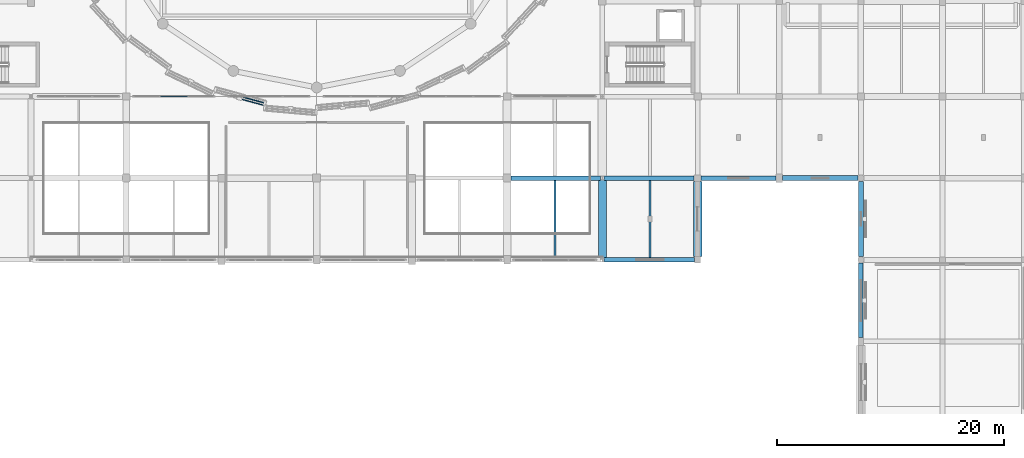
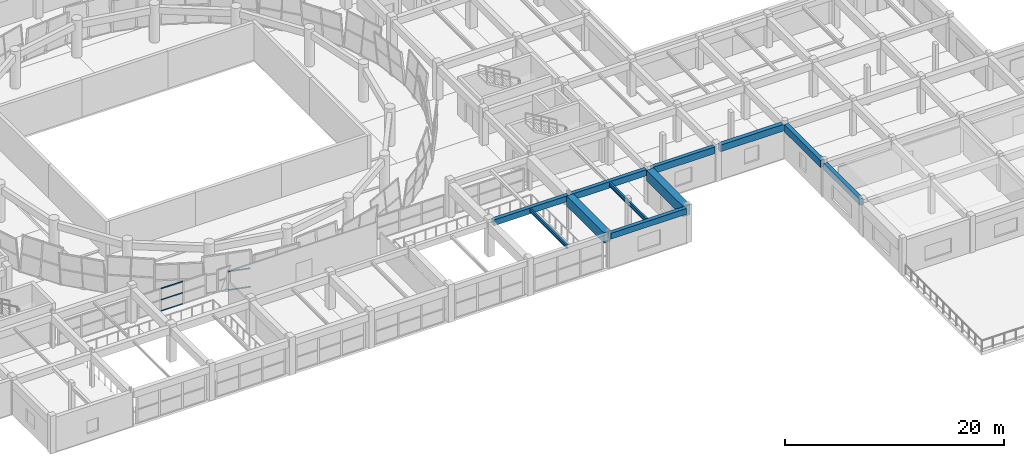
# One storey, part 22 of 71: 11 beams, 5 members, 2 elements without a shape of their own.
"""IFC4 building model written with IfcOpenShell, lengths in metres."""

from ifc_helpers import new_model, si_unit, direction, frame, origin, origin_2d, place, context, subcontext, project, spatial, rectangle, hollow_rectangle, i_section, extrude, material, material_profile, profile_set, type_object, element, aggregate, save


model = new_model("IFC4")

# Units and contexts
model_context = context("Model", 3, precision=1e-05, world=origin(), true_north=direction((0.0, 1.0)))
body_context = subcontext(model_context, "Body", "Model", "MODEL_VIEW")
ifc_project = project(units=[si_unit("LENGTHUNIT", "METRE"), si_unit("AREAUNIT", "SQUARE_METRE"), si_unit("VOLUMEUNIT", "CUBIC_METRE"), si_unit("PLANEANGLEUNIT", "RADIAN"), si_unit("MASSUNIT", "GRAM", prefix="KILO")], contexts=[model_context])

# Site, building, storey
site_placement = place(None, origin())
site = spatial("IfcSite", under=ifc_project, at=site_placement, CompositionType="ELEMENT")
building_placement = place(site_placement, origin())
building = spatial("IfcBuilding", under=site, at=building_placement, Name="Korsvaeld Concert Hall", CompositionType="ELEMENT")
storey_placement = place(building_placement, frame((0.0, 0.0, 4.800048828125)))
storey = spatial("IfcBuildingStorey", under=building, at=storey_placement, Name="L01", CompositionType="ELEMENT", Elevation=4.800048828125)

# Beams
ifc_material_1 = material(Name="Concrete C35/45", Category="concrete")
ifc_material_profile_1 = material_profile(ifc_material_1, rectangle(XDim=0.39990234375, YDim=0.64990234375, at=origin_2d()), Name="RC 400x650")
ifc_profile_set_1 = profile_set([ifc_material_profile_1], Name="Concrete C35/45")
beam_type_1 = type_object("IfcBeamType", Name="BM-RC-400x650", PredefinedType="T_BEAM", material=ifc_profile_set_1)
beam_1_placement = place(storey_placement, frame((109.35009765625, 28.800048828125, 3.514892578125), z_axis=(1.0, 0.0, 0.0), x_axis=(0.0, 1.0, 0.0)))
element("IfcBeam", 1, at=beam_1_placement, inside=storey, type_object=beam_type_1, Name="Primary girder 15-16/E L01", PredefinedType="T_BEAM", context=body_context, shape_type="SweptSolid", body=[
    extrude(rectangle(XDim=0.39990234375, YDim=0.64990234375, at=origin_2d()), origin(), (0.0, 0.0, 1.0), 7.974853515625),
])
beam_2_placement = place(storey_placement, frame((101.14990234375, 36.0, 3.514892578125), z_axis=(1.0, 0.0, 0.0), x_axis=(0.0, 1.0, 0.0)))
element("IfcBeam", 2, at=beam_2_placement, inside=storey, type_object=beam_type_1, Name="Primary girder 14-15/F L01", PredefinedType="T_BEAM", context=body_context, shape_type="SweptSolid", body=[
    extrude(rectangle(XDim=0.39990234375, YDim=0.64990234375, at=origin_2d()), origin(), (0.0, 0.0, 1.0), 7.900146484375),
])
ifc_material_profile_2 = material_profile(ifc_material_1, rectangle(XDim=0.39990234375, YDim=0.699951171875, at=origin_2d()), Name="RC 400x700")
ifc_profile_set_2 = profile_set([ifc_material_profile_2], Name="Concrete C35/45")
beam_type_2 = type_object("IfcBeamType", Name="BM-RC-400x700", PredefinedType="T_BEAM", material=ifc_profile_set_2)
beam_3_placement = place(storey_placement, frame((109.35009765625, 36.0, 3.489990234375), z_axis=(1.0, 0.0, 0.0), x_axis=(0.0, 1.0, 0.0)))
element("IfcBeam", 3, at=beam_3_placement, inside=storey, type_object=beam_type_2, Name="Primary girder 15-16/F L01", PredefinedType="T_BEAM", context=body_context, shape_type="SweptSolid", body=[
    extrude(rectangle(XDim=0.39990234375, YDim=0.699951171875, at=origin_2d()), origin(), (0.0, 0.0, 1.0), 7.949951171875),
])
beam_4_placement = place(storey_placement, frame((132.0, 21.949951171875, 3.489990234375), z_axis=(0.0, 1.0, 0.0), x_axis=(-1.0, 0.0, 0.0)))
element("IfcBeam", 4, at=beam_4_placement, inside=storey, type_object=beam_type_2, Name="Primary girder 18/D-E L01", PredefinedType="T_BEAM", context=body_context, shape_type="SweptSolid", body=[
    extrude(rectangle(XDim=0.39990234375, YDim=0.699951171875, at=origin_2d()), origin(), (0.0, 0.0, 1.0), 6.574951171875),
])
ifc_material_profile_3 = material_profile(ifc_material_1, rectangle(XDim=0.39990234375, YDim=0.75, at=origin_2d()), Name="RC 400x750")
ifc_profile_set_3 = profile_set([ifc_material_profile_3], Name="Concrete C35/45")
beam_type_3 = type_object("IfcBeamType", Name="BM-RC-400x750", PredefinedType="T_BEAM", material=ifc_profile_set_3)
beam_5_placement = place(storey_placement, frame((117.89990234375, 36.0, 3.46484375), z_axis=(1.0, 0.0, 0.0), x_axis=(0.0, 1.0, 0.0)))
element("IfcBeam", 5, at=beam_5_placement, inside=storey, type_object=beam_type_3, Name="Primary girder 16-17/F L01", PredefinedType="T_BEAM", context=body_context, shape_type="SweptSolid", body=[
    extrude(rectangle(XDim=0.39990234375, YDim=0.75, at=origin_2d()), origin(), (0.0, 0.0, 1.0), 6.625),
])
ifc_material_profile_4 = material_profile(ifc_material_1, rectangle(XDim=0.449951171875, YDim=0.75, at=origin_2d()), Name="RC 450x750")
ifc_profile_set_4 = profile_set([ifc_material_profile_4], Name="Concrete C35/45")
beam_type_4 = type_object("IfcBeamType", Name="BM-RC-450x750", PredefinedType="T_BEAM", material=ifc_profile_set_4)
beam_6_placement = place(storey_placement, frame((125.074951171875, 36.0, 3.46484375), z_axis=(1.0, 0.0, 0.0), x_axis=(0.0, 1.0, 0.0)))
element("IfcBeam", 6, at=beam_6_placement, inside=storey, type_object=beam_type_4, Name="Primary girder 17-18/F L01", PredefinedType="T_BEAM", context=body_context, shape_type="SweptSolid", body=[
    extrude(rectangle(XDim=0.449951171875, YDim=0.75, at=origin_2d()), origin(), (0.0, 0.0, 1.0), 6.650146484375),
])
ifc_material_profile_5 = material_profile(ifc_material_1, rectangle(XDim=0.449951171875, YDim=0.800048828125, at=origin_2d()), Name="RC 450x800")
ifc_profile_set_5 = profile_set([ifc_material_profile_5], Name="Concrete C35/45")
beam_type_5 = type_object("IfcBeamType", Name="BM-RC-450x800", PredefinedType="T_BEAM", material=ifc_profile_set_5)
beam_7_placement = place(storey_placement, frame((132.0, 29.074951171875, 3.43994140625), z_axis=(0.0, 1.0, 0.0), x_axis=(-1.0, 0.0, 0.0)))
element("IfcBeam", 7, at=beam_7_placement, inside=storey, type_object=beam_type_5, Name="Primary girder 18/E-F L01", PredefinedType="T_BEAM", context=body_context, shape_type="SweptSolid", body=[
    extrude(rectangle(XDim=0.449951171875, YDim=0.800048828125, at=origin_2d()), origin(), (0.0, 0.0, 1.0), 6.650146484375),
])
ifc_material_2 = material(Name="Concrete C40/50", Category="concrete")
ifc_material_profile_6 = material_profile(ifc_material_2, rectangle(XDim=0.699951171875, YDim=1.14990234375, at=origin_2d()), Name="RC 700x1150")
ifc_profile_set_6 = profile_set([ifc_material_profile_6], Name="Concrete C40/50")
beam_type_6 = type_object("IfcBeamType", Name="BM-RC-700x1150", PredefinedType="T_BEAM", material=ifc_profile_set_6)
beam_8_placement = place(storey_placement, frame((109.199951171875, 28.97998046875, 3.264892578125), z_axis=(0.0, 1.0, 0.0), x_axis=(-1.0, 0.0, 0.0)))
element("IfcBeam", 8, at=beam_8_placement, inside=storey, type_object=beam_type_6, Name="Primary girder 15/E-F L01", PredefinedType="T_BEAM", context=body_context, shape_type="SweptSolid", body=[
    extrude(rectangle(XDim=0.699951171875, YDim=1.14990234375, at=origin_2d()), origin(), (0.0, 0.0, 1.0), 6.840087890625),
])
ifc_material_profile_7 = material_profile(ifc_material_2, rectangle(XDim=0.75, YDim=1.199951171875, at=origin_2d()), Name="RC 750x1200")
ifc_profile_set_7 = profile_set([ifc_material_profile_7], Name="Concrete C40/50")
beam_type_7 = type_object("IfcBeamType", Name="BM-RC-750x1200", PredefinedType="T_BEAM", material=ifc_profile_set_7)
beam_9_placement = place(storey_placement, frame((117.60009765625, 29.074951171875, 3.239990234375), z_axis=(0.0, 1.0, 0.0), x_axis=(-1.0, 0.0, 0.0)))
element("IfcBeam", 9, at=beam_9_placement, inside=storey, type_object=beam_type_7, Name="Primary girder 16/E-F L01", PredefinedType="T_BEAM", context=body_context, shape_type="SweptSolid", body=[
    extrude(rectangle(XDim=0.75, YDim=1.199951171875, at=origin_2d()), origin(), (0.0, 0.0, 1.0), 6.625),
])
ifc_material_3 = material(Name="Steel S355J2", Category="steel")
ifc_material_profile_8 = material_profile(ifc_material_3, i_section(OverallWidth=0.179931640625, OverallDepth=0.39990234375, WebThickness=0.008544921875, FlangeThickness=0.013427734375, FilletRadius=0.02099609375, at=origin_2d()), Name="IPE 400")
ifc_profile_set_8 = profile_set([ifc_material_profile_8], Name="Steel S355J2")
beam_type_8 = type_object("IfcBeamType", Name="BM-STL-IPE400", PredefinedType="BEAM", material=ifc_profile_set_8)
beam_10_placement = place(storey_placement, frame((105.0, 28.97509765625, 3.639892578125), z_axis=(0.0, 1.0, 0.0), x_axis=(-1.0, 0.0, 0.0)))
element("IfcBeam", 10, at=beam_10_placement, inside=storey, type_object=beam_type_8, Name="Secondary steel floor beam 14-15/E L01", PredefinedType="BEAM", context=body_context, shape_type="SweptSolid", body=[
    extrude(i_section(OverallWidth=0.179931640625, OverallDepth=0.39990234375, WebThickness=0.008544921875, FlangeThickness=0.013427734375, FilletRadius=0.02099609375, at=origin_2d()), origin(), (0.0, 0.0, 1.0), 6.824951171875),
])
ifc_material_profile_9 = material_profile(ifc_material_3, i_section(OverallWidth=0.18994140625, OverallDepth=0.449951171875, WebThickness=0.009521484375, FlangeThickness=0.0146484375, FilletRadius=0.02099609375, at=origin_2d()), Name="IPE 450")
ifc_profile_set_9 = profile_set([ifc_material_profile_9], Name="Steel S355J2")
beam_type_9 = type_object("IfcBeamType", Name="BM-STL-IPE450", PredefinedType="BEAM", material=ifc_profile_set_9)
beam_11_placement = place(storey_placement, frame((113.39990234375, 29.0, 3.614990234375), z_axis=(0.0, 1.0, 0.0), x_axis=(-1.0, 0.0, 0.0)))
element("IfcBeam", 11, at=beam_11_placement, inside=storey, type_object=beam_type_9, Name="Secondary steel floor beam 15-16/E L01", PredefinedType="BEAM", context=body_context, shape_type="SweptSolid", body=[
    extrude(i_section(OverallWidth=0.18994140625, OverallDepth=0.449951171875, WebThickness=0.009521484375, FlangeThickness=0.0146484375, FilletRadius=0.02099609375, at=origin_2d()), origin(), (0.0, 0.0, 1.0), 6.800048828125),
])

# Curtain wall, members
ifc_material_4 = material(Name="Anodised bronze and ceramic-fritted safety glass", Category="glass")
curtain_wall_type_1 = type_object("IfcCurtainWallType", Name="CW-TYPE-10", PredefinedType="USERDEFINED", material=ifc_material_4)
curtain_wall_1_placement = place(storey_placement, origin())
curtain_wall_1 = element("IfcCurtainWall", 12, at=curtain_wall_1_placement, inside=storey, type_object=curtain_wall_type_1, Name="Glazed foyer acoustic screen L01-26", ObjectType="CURTAIN WALL", PredefinedType="USERDEFINED")
ifc_material_5 = material(Name="Anodised architectural bronze aluminium", Category="aluminium")
ifc_material_profile_10 = material_profile(ifc_material_5, hollow_rectangle(XDim=0.06005859375, YDim=0.1201171875, WallThickness=0.00390625, at=origin_2d()), Name="CWT 120x60x4")
ifc_profile_set_10 = profile_set([ifc_material_profile_10], Name="Anodised architectural bronze aluminium")
member_type_1 = type_object("IfcMemberType", Name="CWT-ALUM-120x60", PredefinedType="USERDEFINED", material=ifc_profile_set_10)
member_1_placement = place(storey_placement, frame((70.22998046875, 43.199951171875, 0.030029296875), z_axis=(1.0, 0.0, 0.0), x_axis=(0.0, 1.0, 0.0)))
member_1 = element("IfcMember", 13, at=member_1_placement, type_object=member_type_1, Name="CW-10 transom 2.1", ObjectType="TRANSOM", PredefinedType="USERDEFINED", context=body_context, shape_type="SweptSolid", body=[
    extrude(hollow_rectangle(XDim=0.06005859375, YDim=0.1201171875, WallThickness=0.00390625, at=origin_2d()), origin(), (0.0, 0.0, 1.0), 2.340087890625),
])
member_2_placement = place(storey_placement, frame((70.22998046875, 43.199951171875, 1.27490234375), z_axis=(1.0, 0.0, 0.0), x_axis=(0.0, 1.0, 0.0)))
member_2 = element("IfcMember", 14, at=member_2_placement, type_object=member_type_1, Name="CW-10 transom 2.2", ObjectType="TRANSOM", PredefinedType="USERDEFINED", context=body_context, shape_type="SweptSolid", body=[
    extrude(hollow_rectangle(XDim=0.06005859375, YDim=0.1201171875, WallThickness=0.00390625, at=origin_2d()), origin(), (0.0, 0.0, 1.0), 2.340087890625),
])
member_3_placement = place(storey_placement, frame((70.22998046875, 43.199951171875, 2.52001953125), z_axis=(1.0, 0.0, 0.0), x_axis=(0.0, 1.0, 0.0)))
member_3 = element("IfcMember", 15, at=member_3_placement, type_object=member_type_1, Name="CW-10 transom 2.3", ObjectType="TRANSOM", PredefinedType="USERDEFINED", context=body_context, shape_type="SweptSolid", body=[
    extrude(hollow_rectangle(XDim=0.06005859375, YDim=0.1201171875, WallThickness=0.00390625, at=origin_2d()), origin(), (0.0, 0.0, 1.0), 2.340087890625),
])
aggregate(curtain_wall_1, [member_1, member_2, member_3])

curtain_wall_type_2 = type_object("IfcCurtainWallType", Name="CW-TYPE-07", PredefinedType="USERDEFINED", material=ifc_material_4)
curtain_wall_2_placement = place(storey_placement, origin())
curtain_wall_2 = element("IfcCurtainWall", 16, at=curtain_wall_2_placement, inside=storey, type_object=curtain_wall_type_2, Name="Crystal curtain-wall facet L01 F23", ObjectType="CURTAIN WALL", PredefinedType="USERDEFINED")
ifc_material_profile_11 = material_profile(ifc_material_5, hollow_rectangle(XDim=0.06005859375, YDim=0.139892578125, WallThickness=0.00390625, at=origin_2d()), Name="CWT 140x60x4")
ifc_profile_set_11 = profile_set([ifc_material_profile_11], Name="Anodised architectural bronze aluminium")
member_type_2 = type_object("IfcMemberType", Name="CWT-BRONZE-140x60", PredefinedType="USERDEFINED", material=ifc_profile_set_11)
member_4_placement = place(storey_placement, frame((77.219482421875, 43.00390625, 0.030029296875), z_axis=(0.964841242841, -0.262833361873, 0.0), x_axis=(0.262833361873, 0.964841242841, 0.0)))
member_4 = element("IfcMember", 17, at=member_4_placement, type_object=member_type_2, Name="CW-CRYS-L01-F23 crystal transom 2.1", ObjectType="TRANSOM", PredefinedType="USERDEFINED", context=body_context, shape_type="SweptSolid", body=[
    extrude(hollow_rectangle(XDim=0.06005859375, YDim=0.139892578125, WallThickness=0.00390625, at=origin_2d()), origin(), (0.0, 0.0, 1.0), 2.181884765625),
])
member_5_placement = place(storey_placement, frame((77.289306640625, 43.210205078125, 1.93994140625), z_axis=(0.964805126409, -0.262965906641, 0.0), x_axis=(0.262965906641, 0.964805126409, 0.0)))
member_5 = element("IfcMember", 18, at=member_5_placement, type_object=member_type_2, Name="CW-CRYS-L01-F23 crystal transom 2.2", ObjectType="TRANSOM", PredefinedType="USERDEFINED", context=body_context, shape_type="SweptSolid", body=[
    extrude(hollow_rectangle(XDim=0.06005859375, YDim=0.139892578125, WallThickness=0.00390625, at=origin_2d()), origin(), (0.0, 0.0, 1.0), 2.181884765625),
])
aggregate(curtain_wall_2, [member_4, member_5])

save(model, "model.ifc")
